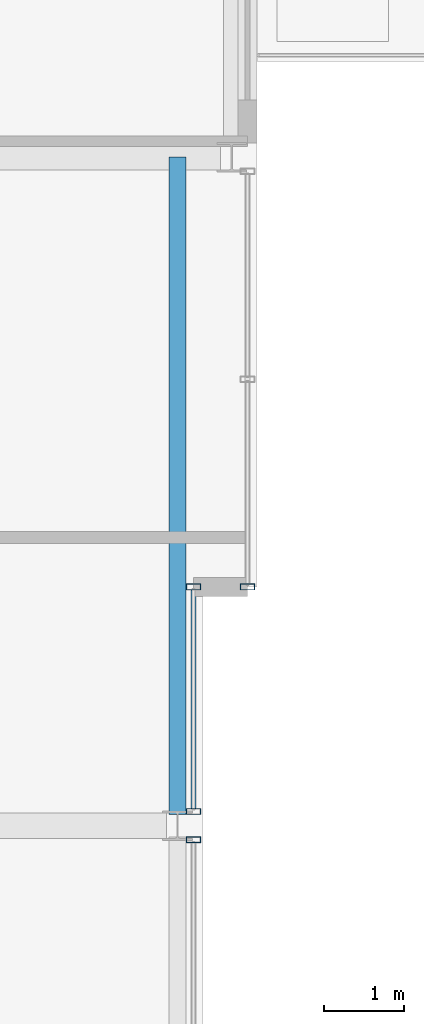
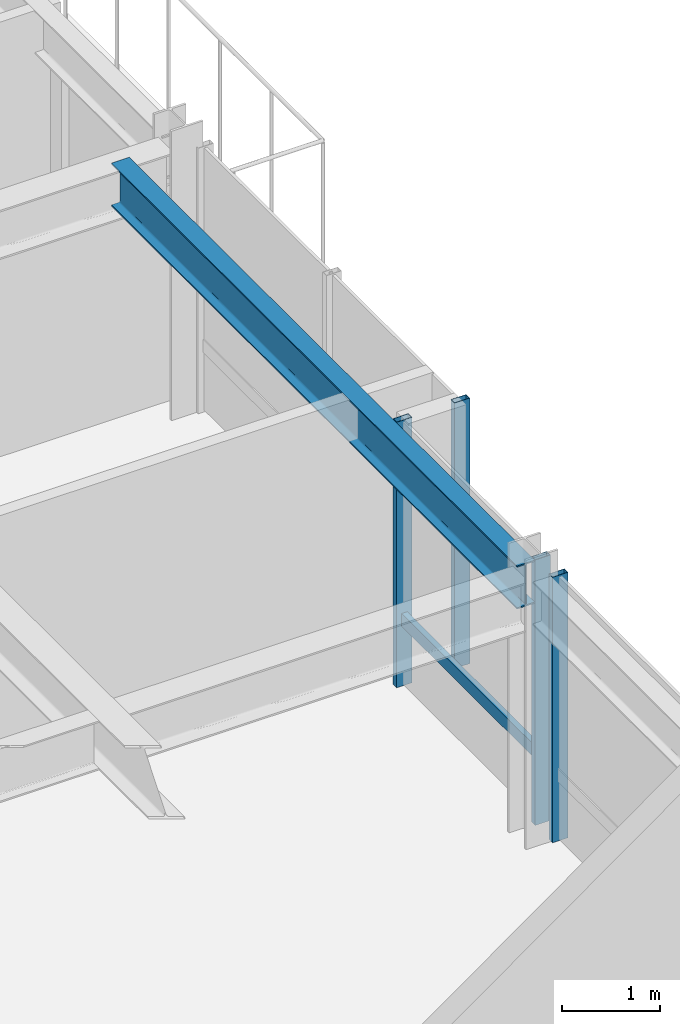
# One storey, part 18 of 34: 5 members, 1 beam, 3 elements without a shape of their own.
"""IFC4 building model written with IfcOpenShell, lengths in metres."""

from ifc_helpers import new_model, si_unit, direction, frame, origin, origin_2d, place, context, subcontext, project, spatial, hollow_rectangle, i_section, extrude, material, layer, layer_set, material_profile, profile_set, type_object, element, aggregate, save


model = new_model("IFC4")

# Units and contexts
model_context = context("Model", 3, precision=1e-05, world=origin(), true_north=direction((0.0, 1.0)))
body_context = subcontext(model_context, "Body", "Model", "MODEL_VIEW")
ifc_project = project(units=[si_unit("LENGTHUNIT", "METRE"), si_unit("AREAUNIT", "SQUARE_METRE"), si_unit("VOLUMEUNIT", "CUBIC_METRE"), si_unit("PLANEANGLEUNIT", "RADIAN"), si_unit("MASSUNIT", "GRAM", prefix="KILO")], contexts=[model_context])

# Site, building, storey
site_placement = place(None, origin())
site = spatial("IfcSite", under=ifc_project, at=site_placement, CompositionType="ELEMENT")
building_placement = place(site_placement, origin())
building = spatial("IfcBuilding", under=site, at=building_placement, Name="Drelvath Grand Hotel", CompositionType="ELEMENT")
storey_placement = place(building_placement, frame((0.0, 0.0, 251.89990234375)))
storey = spatial("IfcBuildingStorey", under=building, at=storey_placement, Name="L66", CompositionType="ELEMENT", Elevation=251.89990234375)

# Curtain wall, member
ifc_material_1 = material(Name="Platinum-Mist Anodised Aluminium Frame", Category="aluminium")
ifc_layer = layer(ifc_material_1, 0.199951171875)
ifc_layer_set = layer_set([ifc_layer], Name="Platinum-Mist Anodised Aluminium Frame")
curtain_wall_type = type_object("IfcCurtainWallType", Name="Stick Curtain Wall CW-05 Platinum Mist High-Rise", PredefinedType="NOTDEFINED", material=ifc_layer_set)
curtain_wall_1_placement = place(storey_placement, origin())
curtain_wall_1 = element("IfcCurtainWall", 1, at=curtain_wall_1_placement, inside=storey, type_object=curtain_wall_type, Name="L66 CW-05 Curtain Wall CW05-L66-EM2", PredefinedType="NOTDEFINED")
ifc_material_profile_1 = material_profile(ifc_material_1, hollow_rectangle(XDim=0.06494140625, YDim=0.159912109375, WallThickness=0.00390625, at=origin_2d()), Name="HSS160X65X4")
ifc_profile_set_1 = profile_set([ifc_material_profile_1], Name="Platinum-Mist Anodised Aluminium Frame")
member_type_1 = type_object("IfcMemberType", Name="Curtain Wall Horizontal Transom CW-05 HSS160X65X4", PredefinedType="USERDEFINED", material=ifc_profile_set_1)
member_1_placement = place(storey_placement, frame((21.39990234375, 29.9599609375, 0.8251953125), z_axis=(0.0, -1.0, 0.0), x_axis=(1.0, 0.0, 0.0)))
member_1 = element("IfcMember", 2, at=member_1_placement, type_object=member_type_1, Name="CW05-L66-EM2 Sill Transom", ObjectType="TRANSOM", PredefinedType="USERDEFINED", context=body_context, shape_type="SweptSolid", body=[
    extrude(hollow_rectangle(XDim=0.06494140625, YDim=0.159912109375, WallThickness=0.00390625, at=origin_2d()), origin(), (0.0, 0.0, 1.0), 2.74169921875),
])

curtain_wall_2_placement = place(storey_placement, origin())
curtain_wall_2 = element("IfcCurtainWall", 3, at=curtain_wall_2_placement, inside=storey, type_object=curtain_wall_type, Name="L66 CW-05 Curtain Wall CW05-L66-EN1", PredefinedType="NOTDEFINED")
ifc_material_profile_2 = material_profile(ifc_material_1, hollow_rectangle(XDim=0.074951171875, YDim=0.179931640625, WallThickness=0.0048828125, at=origin_2d()), Name="HSS180X75X5")
ifc_profile_set_2 = profile_set([ifc_material_profile_2], Name="Platinum-Mist Anodised Aluminium Frame")
member_type_2 = type_object("IfcMemberType", Name="Curtain Wall Vertical Mullion CW-05 HSS180X75X5", PredefinedType="MULLION", material=ifc_profile_set_2)
member_2_placement = place(storey_placement, frame((22.080078125, 30.0, 0.0), z_axis=(0.0, 0.0, 1.0), x_axis=(0.0, 1.0, 0.0)))
member_2 = element("IfcMember", 4, at=member_2_placement, type_object=member_type_2, Name="CW05-L66-EN1 Mullion 3", PredefinedType="MULLION", context=body_context, shape_type="SweptSolid", body=[
    extrude(hollow_rectangle(XDim=0.074951171875, YDim=0.179931640625, WallThickness=0.0048828125, at=origin_2d()), origin(), (0.0, 0.0, 1.0), 3.300048828125),
])
aggregate(curtain_wall_2, [member_2])

curtain_wall_3_placement = place(storey_placement, origin())
curtain_wall_3 = element("IfcCurtainWall", 5, at=curtain_wall_3_placement, inside=storey, type_object=curtain_wall_type, Name="L66 CW-05 Curtain Wall CW05-L66-EM1", PredefinedType="NOTDEFINED")
member_3_placement = place(storey_placement, frame((21.39990234375, 26.82177734375, 0.0), z_axis=(0.0, 0.0, 1.0), x_axis=(0.0, 1.0, 0.0)))
member_3 = element("IfcMember", 6, at=member_3_placement, type_object=member_type_2, Name="CW05-L66-EM1 Mullion 1", PredefinedType="MULLION", context=body_context, shape_type="SweptSolid", body=[
    extrude(hollow_rectangle(XDim=0.074951171875, YDim=0.179931640625, WallThickness=0.0048828125, at=origin_2d()), origin(), (0.0, 0.0, 1.0), 3.300048828125),
])
aggregate(curtain_wall_3, [member_3])

# Member
member_4_placement = place(storey_placement, frame((21.39990234375, 30.0, 0.0), z_axis=(0.0, 0.0, 1.0), x_axis=(0.0, 1.0, 0.0)))
member_4 = element("IfcMember", 7, at=member_4_placement, type_object=member_type_2, Name="CW05-L66-EM2 Mullion 1", PredefinedType="MULLION", context=body_context, shape_type="SweptSolid", body=[
    extrude(hollow_rectangle(XDim=0.074951171875, YDim=0.179931640625, WallThickness=0.0048828125, at=origin_2d()), origin(), (0.0, 0.0, 1.0), 3.300048828125),
])

member_5_placement = place(storey_placement, frame((21.39990234375, 27.17822265625, 0.0), z_axis=(0.0, 0.0, 1.0), x_axis=(0.0, 1.0, 0.0)))
member_5 = element("IfcMember", 8, at=member_5_placement, type_object=member_type_2, Name="CW05-L66-EM2 Mullion 2", PredefinedType="MULLION", context=body_context, shape_type="SweptSolid", body=[
    extrude(hollow_rectangle(XDim=0.074951171875, YDim=0.179931640625, WallThickness=0.0048828125, at=origin_2d()), origin(), (0.0, 0.0, 1.0), 3.300048828125),
])

aggregate(curtain_wall_1, [member_4, member_5, member_1])

# Beam
ifc_material_2 = material(Name="Steel ASTM A992 Gr 50", Category="steel")
ifc_material_profile_3 = material_profile(ifc_material_2, i_section(OverallWidth=0.210205078125, OverallDepth=0.53662109375, WebThickness=0.010986328125, FlangeThickness=0.017333984375, FilletRadius=0.01806640625, at=origin_2d()), Name="W21X68")
ifc_profile_set_3 = profile_set([ifc_material_profile_3], Name="Steel ASTM A992 Gr 50")
beam_type = type_object("IfcBeamType", Name="Perimeter Spandrel Beam W21X68", PredefinedType="SPANDREL", material=ifc_profile_set_3)
beam_placement = place(storey_placement, frame((21.199951171875, 27.139892578125, 3.03173828125), z_axis=(0.0, 1.0, 0.0), x_axis=(-1.0, 0.0, 0.0)))
element("IfcBeam", 9, at=beam_placement, inside=storey, type_object=beam_type, Name="L66 Spandrel East Mid N", PredefinedType="SPANDREL", context=body_context, shape_type="SweptSolid", body=[
    extrude(i_section(OverallWidth=0.210205078125, OverallDepth=0.53662109375, WebThickness=0.010986328125, FlangeThickness=0.017333984375, FilletRadius=0.01806640625, at=origin_2d()), origin(), (0.0, 0.0, 1.0), 8.260009765625),
])

save(model, "model.ifc")
